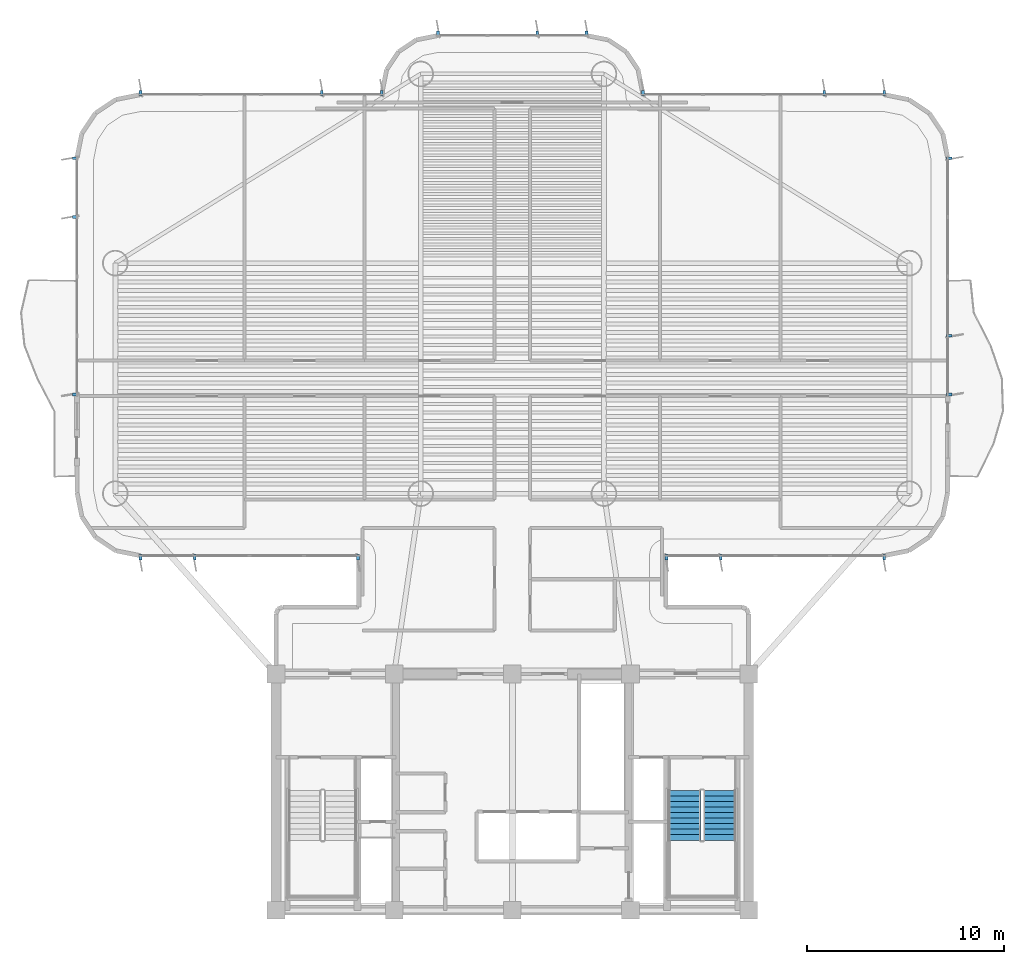
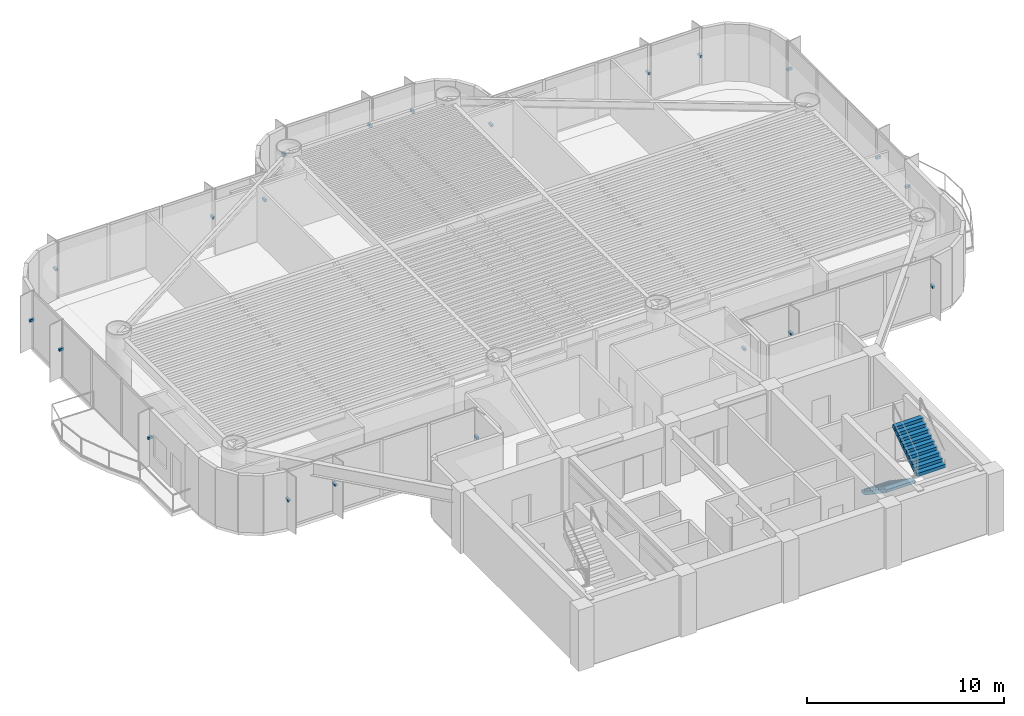
# One storey, part 12 of 16: 21 discrete accessories, 2 stair flights, 1 element without a shape of its own.
"""IFC4 building model written with IfcOpenShell, lengths in metres."""

from ifc_helpers import new_model, si_unit, direction, frame, origin, origin_2d, place, context, subcontext, project, spatial, polyline, rectangle, outline, extrude, source, transform, mapped, material, type_object, element, aggregate, save


model = new_model("IFC4")

# Units and contexts
model_context = context("Model", 3, precision=1e-05, world=origin(), true_north=direction((0.0, 1.0)))
body_context = subcontext(model_context, "Body", "Model", "MODEL_VIEW")
ifc_project = project(units=[si_unit("LENGTHUNIT", "METRE"), si_unit("AREAUNIT", "SQUARE_METRE"), si_unit("VOLUMEUNIT", "CUBIC_METRE"), si_unit("PLANEANGLEUNIT", "RADIAN"), si_unit("MASSUNIT", "GRAM", prefix="KILO")], contexts=[model_context])

# Site, building, storey
site_placement = place(None, origin())
site = spatial("IfcSite", under=ifc_project, at=site_placement, CompositionType="ELEMENT")
building_placement = place(site_placement, origin())
building = spatial("IfcBuilding", under=site, at=building_placement, Name="Brelvock Crest Care Tower", CompositionType="ELEMENT")
storey_placement = place(building_placement, frame((0.0, 0.0, 116.280029296875)))
storey = spatial("IfcBuildingStorey", under=building, at=storey_placement, Name="L29", CompositionType="ELEMENT", Elevation=116.280029296875)

# Stair, stair flights
ifc_material_1 = material(Name="Concrete N40 (40 MPa)", Category="concrete")
stair_type = type_object("IfcStairType", Name="ST-CORE1", PredefinedType="HALF_TURN_STAIR", material=ifc_material_1)
stair_placement = place(storey_placement, origin())
stair = element("IfcStair", 1, at=stair_placement, inside=storey, type_object=stair_type, Name="L29 Fire-Isolated Core Stair ST-2", PredefinedType="HALF_TURN_STAIR")
stair_flight_type = type_object("IfcStairFlightType", Name="STF-1", PredefinedType="STRAIGHT", material=ifc_material_1)
stair_flight_1_placement = place(storey_placement, frame((44.72998046875, 12.080078125, 0.0), z_axis=(0.0, 0.0, 1.0), x_axis=(0.0, -1.0, 0.0)))
stair_flight_1 = element("IfcStairFlight", 2, at=stair_flight_1_placement, type_object=stair_flight_type, Name="ST-2 flight 1", NumberOfRisers=10, NumberOfTreads=9, PredefinedType="STRAIGHT", RiserHeight=0.189, TreadLength=0.28, context=body_context, shape_type="SweptSolid", body=[
    extrude(outline(polyline([(-0.00390625, -0.014892578125), (-0.00390625, -0.0078125), (-0.00390625, -0.00048828125), (-0.00390625, 0.0068359375), (-0.00390625, 0.01416015625), (-0.00390625, 0.021484375), (-0.00390625, 0.02880859375), (-0.00390625, 0.035888671875), (-0.00390625, 0.043212890625), (-0.00390625, 0.050537109375), (-0.00390625, 0.057861328125), (-0.00390625, 0.065185546875), (-0.00390625, 0.072509765625), (-0.00390625, 0.07958984375), (-0.00390625, 0.0869140625), (-0.00390625, 0.09423828125), (-0.00390625, 0.1015625), (-0.00390625, 0.10888671875), (-0.00390625, 0.1162109375), (-0.00390625, 0.12353515625), (-0.00390625, 0.130615234375), (-0.00390625, 0.137939453125), (-0.00390625, 0.145263671875), (-0.00390625, 0.152587890625), (-0.00390625, 0.159912109375), (-0.00390625, 0.167236328125), (-0.00390625, 0.17431640625), (-0.00390625, 0.181640625), (-0.00390625, 0.18896484375), (0.0, 0.18896484375), (0.280029296875, 0.18896484375), (0.280029296875, 0.3779296875), (0.56005859375, 0.3779296875), (0.56005859375, 0.56689453125), (0.840087890625, 0.56689453125), (0.840087890625, 0.756103515625), (1.1201171875, 0.756103515625), (1.1201171875, 0.945068359375), (1.39990234375, 0.945068359375), (1.39990234375, 1.134033203125), (1.679931640625, 1.134033203125), (1.679931640625, 1.322998046875), (1.9599609375, 1.322998046875), (1.9599609375, 1.511962890625), (2.239990234375, 1.511962890625), (2.239990234375, 1.700927734375), (2.52001953125, 1.700927734375), (2.52392578125, 1.700927734375), (2.523681640625, 1.70068359375), (2.52392578125, 1.700439453125), (2.523681640625, 1.699951171875), (2.52392578125, 1.69970703125), (2.523681640625, 1.699462890625), (2.52392578125, 1.698974609375), (2.523681640625, 1.69873046875), (2.52392578125, 1.698486328125), (2.523681640625, 1.697998046875), (2.52392578125, 1.69775390625), (2.523681640625, 1.697509765625), (2.52392578125, 1.697021484375), (2.523681640625, 1.69677734375), (2.52392578125, 1.696533203125), (2.523681640625, 1.6962890625), (2.52392578125, 1.69580078125), (2.523681640625, 1.695556640625), (2.52392578125, 1.6953125), (2.523681640625, 1.69482421875), (2.52392578125, 1.694580078125), (2.523681640625, 1.6943359375), (2.52392578125, 1.69384765625), (2.523681640625, 1.693603515625), (2.52392578125, 1.693359375), (2.523681640625, 1.69287109375), (2.52392578125, 1.692626953125), (2.523681640625, 1.6923828125), (2.52392578125, 1.69189453125), (2.52001953125, 1.520263671875), (0.267822265625, 0.0), (0.0, 0.0), (0.0, -0.014892578125), (-0.00390625, -0.014892578125)])), frame((0.0, 0.83984375, 0.0), z_axis=(0.0, -1.0, 0.0), x_axis=(1.0, 0.0, 0.0)), (0.0, 0.0, 1.0), 1.679931640625),
])
stair_flight_2_placement = place(storey_placement, frame((46.530029296875, 9.56005859375, 1.889892578125), z_axis=(0.0, 0.0, 1.0), x_axis=(0.0, 1.0, 0.0)))
stair_flight_2 = element("IfcStairFlight", 3, at=stair_flight_2_placement, type_object=stair_flight_type, Name="ST-2 flight 2", NumberOfRisers=10, NumberOfTreads=9, PredefinedType="STRAIGHT", RiserHeight=0.189, TreadLength=0.28, context=body_context, shape_type="SweptSolid", body=[
    extrude(outline(polyline([(-0.00390625, -0.014892578125), (-0.00390625, -0.0078125), (-0.00390625, -0.00048828125), (-0.00390625, 0.0068359375), (-0.00390625, 0.01416015625), (-0.00390625, 0.021484375), (-0.00390625, 0.02880859375), (-0.00390625, 0.035888671875), (-0.00390625, 0.043212890625), (-0.00390625, 0.050537109375), (-0.00390625, 0.057861328125), (-0.00390625, 0.065185546875), (-0.00390625, 0.072509765625), (-0.00390625, 0.07958984375), (-0.00390625, 0.0869140625), (-0.00390625, 0.09423828125), (-0.00390625, 0.1015625), (-0.00390625, 0.10888671875), (-0.00390625, 0.1162109375), (-0.00390625, 0.12353515625), (-0.00390625, 0.130615234375), (-0.00390625, 0.137939453125), (-0.00390625, 0.145263671875), (-0.00390625, 0.152587890625), (-0.00390625, 0.159912109375), (-0.00390625, 0.167236328125), (-0.00390625, 0.17431640625), (-0.00390625, 0.181640625), (-0.00390625, 0.18896484375), (0.0, 0.18896484375), (0.280029296875, 0.18896484375), (0.280029296875, 0.3779296875), (0.56005859375, 0.3779296875), (0.56005859375, 0.56689453125), (0.840087890625, 0.56689453125), (0.840087890625, 0.756103515625), (1.1201171875, 0.756103515625), (1.1201171875, 0.945068359375), (1.39990234375, 0.945068359375), (1.39990234375, 1.134033203125), (1.679931640625, 1.134033203125), (1.679931640625, 1.322998046875), (1.9599609375, 1.322998046875), (1.9599609375, 1.511962890625), (2.239990234375, 1.511962890625), (2.239990234375, 1.700927734375), (2.52001953125, 1.700927734375), (2.52392578125, 1.700927734375), (2.523681640625, 1.70068359375), (2.52392578125, 1.700439453125), (2.523681640625, 1.699951171875), (2.52392578125, 1.69970703125), (2.523681640625, 1.699462890625), (2.52392578125, 1.698974609375), (2.523681640625, 1.69873046875), (2.52392578125, 1.698486328125), (2.523681640625, 1.697998046875), (2.52392578125, 1.69775390625), (2.523681640625, 1.697509765625), (2.52392578125, 1.697021484375), (2.523681640625, 1.69677734375), (2.52392578125, 1.696533203125), (2.523681640625, 1.6962890625), (2.52392578125, 1.69580078125), (2.523681640625, 1.695556640625), (2.52392578125, 1.6953125), (2.523681640625, 1.69482421875), (2.52392578125, 1.694580078125), (2.523681640625, 1.6943359375), (2.52392578125, 1.69384765625), (2.523681640625, 1.693603515625), (2.52392578125, 1.693359375), (2.523681640625, 1.69287109375), (2.52392578125, 1.692626953125), (2.523681640625, 1.6923828125), (2.52392578125, 1.69189453125), (2.52001953125, 1.520263671875), (0.267822265625, 0.0), (0.0, 0.0), (0.0, -0.014892578125), (-0.00390625, -0.014892578125)])), frame((0.0, 0.83984375, 0.0), z_axis=(0.0, -1.0, 0.0), x_axis=(1.0, 0.0, 0.0)), (0.0, 0.0, 1.0), 1.679931640625),
])
aggregate(stair, [stair_flight_1, stair_flight_2])

# Discrete accessories
ifc_material_2 = material(Name="Steel Grade 350", Category="steel")
discrete_accessory_type = type_object("IfcDiscreteAccessoryType", Name="ACC-BRK1", PredefinedType="BRACKET", material=ifc_material_2)
shared_shape = source(origin(), body_context, "Body", "SweptSolid", [
    extrude(rectangle(XDim=0.280029296875, YDim=0.139892578125, at=origin_2d()), origin(), (0.0, 0.0, 1.0), 0.139892578125),
])
for number, where, z_axis, x_axis, name in (
    (4, (28.169921875, 23.919921875, 1.69482421875), (0.0, 0.0, 1.0), (0.0, -1.0, 0.0), "L29 Facade Fin Bracket E12-01"),
    (5, (19.875, 23.919921875, 1.69482421875), (0.0, 0.0, 1.0), (0.0, -1.0, 0.0), "L29 Facade Fin Bracket E12-04"),
    (6, (17.1298828125, 23.919921875, 1.69482421875), (0.0, 0.0, 1.0), (0.0, -1.0, 0.0), "L29 Facade Fin Bracket E12-05"),
    (7, (13.820068359375, 32.179931640625, 1.69482421875), (0.0, 0.0, 1.0), (-1.0, 0.0, 0.0), "L29 Facade Fin Bracket E17B-01"),
    (8, (13.820068359375, 41.1875, 1.69482421875), (0.0, 0.0, 1.0), (-1.0, 0.0, 0.0), "L29 Facade Fin Bracket E17B-04"),
    (9, (13.820068359375, 44.169921875, 1.69482421875), (0.0, 0.0, 1.0), (-1.0, 0.0, 0.0), "L29 Facade Fin Bracket E17B-05"),
    (10, (17.1298828125, 47.47998046875, 1.69482421875), (0.0, 0.0, 1.0), (0.0, 1.0, 0.0), "L29 Facade Fin Bracket E22-01"),
    (11, (26.324951171875, 47.47998046875, 1.69482421875), (0.0, 0.0, 1.0), (0.0, 1.0, 0.0), "L29 Facade Fin Bracket E22-04"),
    (12, (29.3701171875, 47.47998046875, 1.69482421875), (0.0, 0.0, 1.0), (0.0, 1.0, 0.0), "L29 Facade Fin Bracket E22-05"),
    (13, (32.22998046875, 50.47998046875, 1.69482421875), (0.0, 0.0, 1.0), (0.0, 1.0, 0.0), "L29 Facade Fin Bracket E28-01"),
    (14, (37.2666015625, 50.47998046875, 1.69482421875), (0.0, 0.0, 1.0), (0.0, 1.0, 0.0), "L29 Facade Fin Bracket E28-03"),
    (15, (39.77001953125, 50.47998046875, 1.69482421875), (0.0, 0.0, 1.0), (0.0, 1.0, 0.0), "L29 Facade Fin Bracket E28-04"),
    (16, (42.6298828125, 47.47998046875, 1.69482421875), (0.0, 0.0, 1.0), (0.0, 1.0, 0.0), "L29 Facade Fin Bracket E34-01"),
    (17, (51.824951171875, 47.47998046875, 1.69482421875), (0.0, 0.0, 1.0), (0.0, 1.0, 0.0), "L29 Facade Fin Bracket E34-04"),
    (18, (54.8701171875, 47.47998046875, 1.69482421875), (0.0, 0.0, 1.0), (0.0, 1.0, 0.0), "L29 Facade Fin Bracket E34-05"),
    (19, (58.179931640625, 44.169921875, 1.69482421875), (0.0, 0.0, 1.0), (1.0, 0.0, 0.0), "L29 Facade Fin Bracket E39A-01"),
    (20, (58.179931640625, 35.16259765625, 1.69482421875), (0.0, 0.0, 1.0), (1.0, 0.0, 0.0), "L29 Facade Fin Bracket E39A-04"),
    (21, (58.179931640625, 32.179931640625, 1.69482421875), (0.0, 0.0, 1.0), (1.0, 0.0, 0.0), "L29 Facade Fin Bracket E39A-05"),
    (22, (54.8701171875, 23.919921875, 1.69482421875), (0.0, 0.0, 1.0), (0.0, -1.0, 0.0), "L29 Facade Fin Bracket E44-01"),
    (23, (46.574951171875, 23.919921875, 1.69482421875), (0.0, 0.0, 1.0), (0.0, -1.0, 0.0), "L29 Facade Fin Bracket E44-04"),
    (24, (43.830078125, 23.919921875, 1.69482421875), (0.0, 0.0, 1.0), (0.0, -1.0, 0.0), "L29 Facade Fin Bracket E44-05"),
):
    element("IfcDiscreteAccessory", number, at=place(storey_placement, frame(where, z_axis=z_axis, x_axis=x_axis)), inside=storey, type_object=discrete_accessory_type, Name=name, PredefinedType="BRACKET", context=body_context, shape_type="MappedRepresentation", body=[
        mapped(shared_shape, transform((0.0, 0.0, 0.0), x_axis=(1.0, 0.0, 0.0), y_axis=(0.0, 1.0, 0.0), z_axis=(0.0, 0.0, 1.0), scale=1.0)),
    ])

save(model, "model.ifc")
